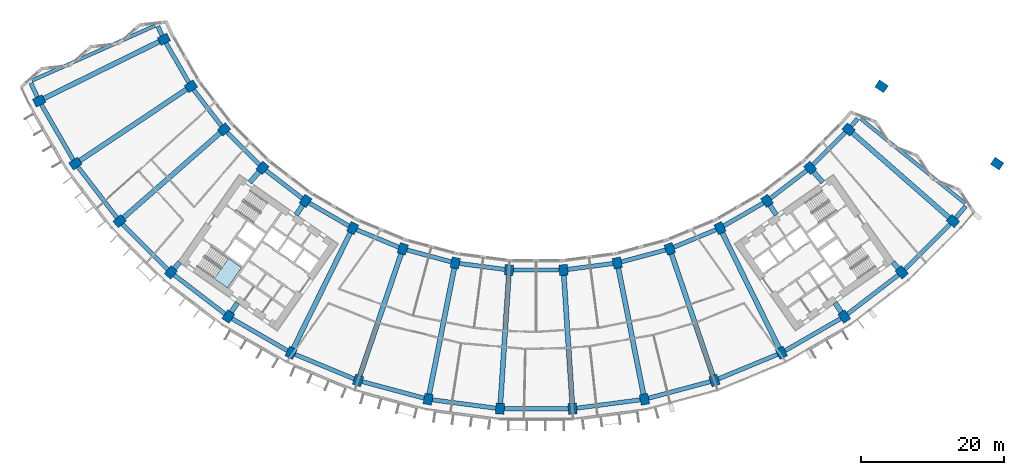
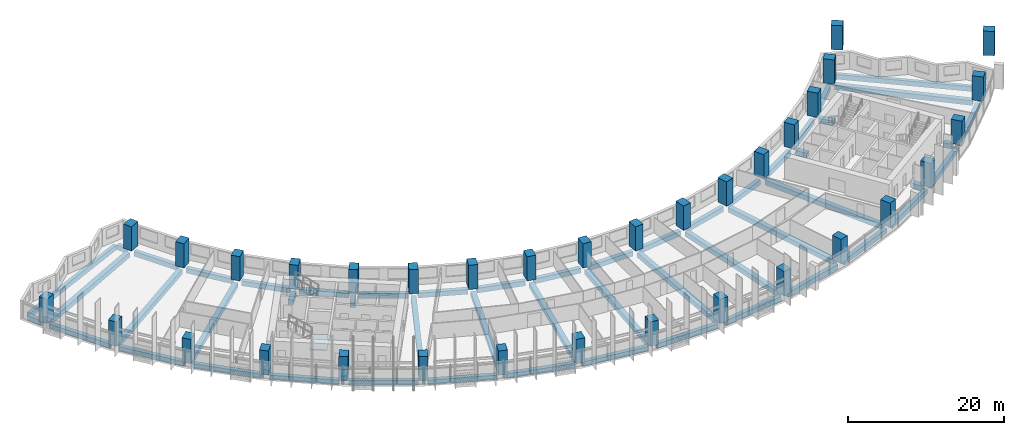
# One storey, part 1 of 30: 56 beams, 34 columns, 1 slab, 1 element without a shape of its own.
"""IFC4 building model written with IfcOpenShell, lengths in metres."""

from ifc_helpers import new_model, si_unit, direction, frame, origin, origin_2d, place, context, subcontext, project, spatial, polyline, rectangle, outline, extrude, material, layer, layer_set, material_profile, profile_set, type_object, element, aggregate, save


model = new_model("IFC4")

# Units and contexts
model_context = context("Model", 3, precision=1e-05, world=origin(), true_north=direction((0.0, 1.0)))
body_context = subcontext(model_context, "Body", "Model", "MODEL_VIEW")
ifc_project = project(units=[si_unit("LENGTHUNIT", "METRE"), si_unit("AREAUNIT", "SQUARE_METRE"), si_unit("VOLUMEUNIT", "CUBIC_METRE"), si_unit("PLANEANGLEUNIT", "RADIAN"), si_unit("MASSUNIT", "GRAM", prefix="KILO")], contexts=[model_context])

# Site, building, storey
site_placement = place(None, origin())
site = spatial("IfcSite", under=ifc_project, at=site_placement, CompositionType="ELEMENT")
building_placement = place(site_placement, origin())
building = spatial("IfcBuilding", under=site, at=building_placement, Name="Qamariyya Broadcast Tower", CompositionType="ELEMENT")
storey_placement = place(building_placement, frame((0.0, 0.0, 125.300048828125)))
storey = spatial("IfcBuildingStorey", under=building, at=storey_placement, Name="L28", CompositionType="ELEMENT", Elevation=125.300048828125)

# Columns
ifc_material_1 = material(Name="Concrete C70/85", Category="concrete")
ifc_material_profile_1 = material_profile(ifc_material_1, rectangle(XDim=1.199951171875, YDim=1.5, at=origin_2d()))
ifc_profile_set_1 = profile_set([ifc_material_profile_1], Name="Concrete C70/85")
column_type = type_object("IfcColumnType", Name="RC column 1200 x 1500 C70/85", PredefinedType="COLUMN", material=ifc_profile_set_1)
for number, where, z_axis, x_axis, name in (
    (1, (-52.242919921875, -25.763427734375, 0.0), (0.0, 0.0, 1.0), (0.442288690219, -0.896872741533, 0.0), "Column C7 L28 B-R02"),
    (2, (-69.73193359375, -34.387939453125, 0.0), (0.0, 0.0, 1.0), (0.442288690219, -0.896872741533, 0.0), "Column C7 L28 C-R02"),
    (3, (-48.43310546875, -32.362060546875, 0.0), (0.0, 0.0, 1.0), (0.55557023302, -0.831469612303, 0.0), "Column C7 L28 B-R03"),
    (4, (-64.646728515625, -43.195556640625, 0.0), (0.0, 0.0, 1.0), (0.55557023302, -0.831469612303, 0.0), "Column C7 L28 C-R03"),
    (5, (-43.794677734375, -38.406982421875, 0.0), (0.0, 0.0, 1.0), (0.6593458151, -0.751839807479, 0.0), "Column C7 L28 B-R04"),
    (6, (-58.45556640625, -51.26416015625, 0.0), (0.0, 0.0, 1.0), (0.6593458151, -0.751839807479, 0.0), "Column C7 L28 C-R04"),
    (7, (-38.406982421875, -43.794677734375, 0.0), (0.0, 0.0, 1.0), (0.751839807479, -0.6593458151, 0.0), "Column C7 L28 B-R05"),
    (8, (-51.26416015625, -58.45556640625, 0.0), (0.0, 0.0, 1.0), (0.751839807479, -0.6593458151, 0.0), "Column C7 L28 C-R05"),
    (9, (-32.362060546875, -48.43310546875, 0.0), (0.0, 0.0, 1.0), (0.831469612303, -0.55557023302, 0.0), "Column C7 L28 B-R06"),
    (10, (-43.195556640625, -64.646728515625, 0.0), (0.0, 0.0, 1.0), (0.831469612303, -0.55557023302, 0.0), "Column C7 L28 C-R06"),
    (11, (-25.763427734375, -52.242919921875, 0.0), (0.0, 0.0, 1.0), (0.896872741533, -0.442288690219, 0.0), "Column C7 L28 B-R07"),
    (12, (-34.387939453125, -69.73193359375, 0.0), (0.0, 0.0, 1.0), (0.896872741533, -0.442288690219, 0.0), "Column C7 L28 C-R07"),
    (13, (-18.723876953125, -55.15869140625, 0.0), (0.0, 0.0, 1.0), (0.946930129495, -0.321439465303, 0.0), "Column C7 L28 B-R08"),
    (14, (-24.991943359375, -73.623779296875, 0.0), (0.0, 0.0, 1.0), (0.946930129495, -0.321439465303, 0.0), "Column C7 L28 C-R08"),
    (15, (-11.364013671875, -57.130859375, 0.0), (0.0, 0.0, 1.0), (0.980785280403, -0.195090322016, 0.0), "Column C7 L28 B-R09"),
    (16, (-15.168212890625, -76.256103515625, 0.0), (0.0, 0.0, 1.0), (0.980785280403, -0.195090322016, 0.0), "Column C7 L28 C-R09"),
    (17, (-3.809814453125, -58.125244140625, 0.0), (0.0, 0.0, 1.0), (0.997858923239, -0.06540312923, 0.0), "Column C7 L28 B-R10"),
    (18, (-5.085205078125, -77.58349609375, 0.0), (0.0, 0.0, 1.0), (0.997858923239, -0.06540312923, 0.0), "Column C7 L28 C-R10"),
    (19, (3.809814453125, -58.125244140625, 0.0), (0.0, 0.0, 1.0), (0.997858923239, 0.06540312923, 0.0), "Column C7 L28 B-R11"),
    (20, (5.085205078125, -77.58349609375, 0.0), (0.0, 0.0, 1.0), (0.997858923239, 0.06540312923, 0.0), "Column C7 L28 C-R11"),
    (21, (11.364013671875, -57.130859375, 0.0), (0.0, 0.0, 1.0), (0.980785280403, 0.195090322016, 0.0), "Column C7 L28 B-R12"),
    (22, (15.168212890625, -76.256103515625, 0.0), (0.0, 0.0, 1.0), (0.980785280403, 0.195090322016, 0.0), "Column C7 L28 C-R12"),
    (23, (18.723876953125, -55.15869140625, 0.0), (0.0, 0.0, 1.0), (0.946930129495, 0.321439465303, 0.0), "Column C7 L28 B-R13"),
    (24, (24.991943359375, -73.623779296875, 0.0), (0.0, 0.0, 1.0), (0.946930129495, 0.321439465303, 0.0), "Column C7 L28 C-R13"),
    (25, (25.763427734375, -52.242919921875, 0.0), (0.0, 0.0, 1.0), (0.896872741533, 0.442288690219, 0.0), "Column C7 L28 B-R14"),
    (26, (34.387939453125, -69.73193359375, 0.0), (0.0, 0.0, 1.0), (0.896872741533, 0.442288690219, 0.0), "Column C7 L28 C-R14"),
    (27, (32.362060546875, -48.43310546875, 0.0), (0.0, 0.0, 1.0), (0.831469612303, 0.55557023302, 0.0), "Column C7 L28 B-R15"),
    (28, (43.195556640625, -64.646728515625, 0.0), (0.0, 0.0, 1.0), (0.831469612303, 0.55557023302, 0.0), "Column C7 L28 C-R15"),
    (29, (38.406982421875, -43.794677734375, 0.0), (0.0, 0.0, 1.0), (0.751839807479, 0.6593458151, 0.0), "Column C7 L28 B-R16"),
    (30, (51.26416015625, -58.45556640625, 0.0), (0.0, 0.0, 1.0), (0.751839807479, 0.6593458151, 0.0), "Column C7 L28 C-R16"),
    (31, (43.794677734375, -38.406982421875, 0.0), (0.0, 0.0, 1.0), (0.6593458151, 0.751839807479, 0.0), "Column C7 L28 B-R17"),
    (32, (58.45556640625, -51.26416015625, 0.0), (0.0, 0.0, 1.0), (0.6593458151, 0.751839807479, 0.0), "Column C7 L28 C-R17"),
    (33, (48.43310546875, -32.362060546875, 0.0), (0.0, 0.0, 1.0), (0.55557023302, 0.831469612303, 0.0), "Column C7 L28 B-R18"),
    (34, (64.646728515625, -43.195556640625, 0.0), (0.0, 0.0, 1.0), (0.55557023302, 0.831469612303, 0.0), "Column C7 L28 C-R18"),
):
    element("IfcColumn", number, at=place(storey_placement, frame(where, z_axis=z_axis, x_axis=x_axis)), inside=storey, type_object=column_type, Name=name, PredefinedType="COLUMN", context=body_context, shape_type="SweptSolid", body=[
        extrude(rectangle(XDim=1.199951171875, YDim=1.5, at=origin_2d()), origin(), (0.0, 0.0, 1.0), 3.800048828125),
    ])

# Beams
ifc_material_2 = material(Name="Concrete C50/60", Category="concrete")
ifc_material_profile_2 = material_profile(ifc_material_2, rectangle(XDim=0.60009765625, YDim=0.75, at=origin_2d()))
ifc_profile_set_2 = profile_set([ifc_material_profile_2], Name="Concrete C50/60")
beam_type_1 = type_object("IfcBeamType", Name="RC edge beam 600 x 750 C50/60", PredefinedType="SPANDREL", material=ifc_profile_set_2)
for number, where, z_axis, x_axis, name in (
    (35, (-51.942138671875, -26.283935546875, -0.675048828125), (0.49999360328, -0.866029096901, 0.0), (0.866029096901, 0.49999360328, 0.0), "Edge beam B15 L28 B R02-R03"),
    (36, (-48.067138671875, -32.839111328125, -0.675048828125), (0.608778135192, -0.793340520906, 0.0), (0.793340520906, 0.608778135192, 0.0), "Edge beam B15 L28 B R03-R04"),
):
    element("IfcBeam", number, at=place(storey_placement, frame(where, z_axis=z_axis, x_axis=x_axis)), inside=storey, type_object=beam_type_1, Name=name, PredefinedType="SPANDREL", context=body_context, shape_type="SweptSolid", body=[
        extrude(rectangle(XDim=0.60009765625, YDim=0.75, at=origin_2d()), origin(), (0.0, 0.0, 1.0), 6.4169921875),
    ])
beam_1_placement = place(storey_placement, frame((-43.369384765625, -38.83203125, -0.675048828125), z_axis=(0.707106781187, -0.707106781187, 0.0), x_axis=(0.707106781187, 0.707106781187, 0.0)))
element("IfcBeam", 37, at=beam_1_placement, inside=storey, type_object=beam_type_1, Name="Edge beam B15 L28 B R04-R05", PredefinedType="SPANDREL", context=body_context, shape_type="SweptSolid", body=[
    extrude(rectangle(XDim=0.60009765625, YDim=0.75, at=origin_2d()), origin(), (0.0, 0.0, 1.0), 6.416748046875),
])
for number, where, z_axis, x_axis, name in (
    (38, (-37.929931640625, -44.16064453125, -0.675048828125), (0.793340520906, -0.608778135192, 0.0), (0.608778135192, 0.793340520906, 0.0), "Edge beam B15 L28 B R05-R06"),
    (39, (-31.84130859375, -48.733642578125, -0.675048828125), (0.866029096901, -0.49999360328, 0.0), (0.49999360328, 0.866029096901, 0.0), "Edge beam B15 L28 B R06-R07"),
    (40, (-25.207763671875, -52.472900390625, -0.675048828125), (0.923884212686, -0.382672133229, 0.0), (0.382672133229, 0.923884212686, 0.0), "Edge beam B15 L28 B R07-R08"),
    (41, (-18.14306640625, -55.314208984375, -0.675048828125), (0.965922916603, -0.258829903956, 0.0), (0.258829903956, 0.965922916603, 0.0), "Edge beam B15 L28 B R08-R09"),
    (42, (-10.767822265625, -57.209228515625, -0.675048828125), (0.991443543958, -0.1305361986, 0.0), (0.1305361986, 0.991443543958, 0.0), "Edge beam B15 L28 B R09-R10"),
    (43, (-3.20849609375, -58.125244140625, -0.675048828125), (1.0, 0.0, 0.0), (0.0, 1.0, 0.0), "Edge beam B15 L28 B R10-R11"),
    (44, (4.40576171875, -58.046875, -0.675048828125), (0.991443543958, 0.1305361986, 0.0), (-0.1305361986, 0.991443543958, 0.0), "Edge beam B15 L28 B R11-R12"),
    (45, (11.94482421875, -56.97509765625, -0.675048828125), (0.965922916603, 0.258829903956, 0.0), (-0.258829903956, 0.965922916603, 0.0), "Edge beam B15 L28 B R12-R13"),
    (46, (19.279296875, -54.928466796875, -0.675048828125), (0.923884212686, 0.382672133229, 0.0), (-0.382672133229, 0.923884212686, 0.0), "Edge beam B15 L28 B R13-R14"),
    (47, (26.283935546875, -51.942138671875, -0.675048828125), (0.866029096901, 0.49999360328, 0.0), (-0.49999360328, 0.866029096901, 0.0), "Edge beam B15 L28 B R14-R15"),
    (48, (32.839111328125, -48.067138671875, -0.675048828125), (0.793340520906, 0.608778135192, 0.0), (-0.608778135192, 0.793340520906, 0.0), "Edge beam B15 L28 B R15-R16"),
):
    element("IfcBeam", number, at=place(storey_placement, frame(where, z_axis=z_axis, x_axis=x_axis)), inside=storey, type_object=beam_type_1, Name=name, PredefinedType="SPANDREL", context=body_context, shape_type="SweptSolid", body=[
        extrude(rectangle(XDim=0.60009765625, YDim=0.75, at=origin_2d()), origin(), (0.0, 0.0, 1.0), 6.4169921875),
    ])
beam_2_placement = place(storey_placement, frame((38.83203125, -43.369384765625, -0.675048828125), z_axis=(0.707106781187, 0.707106781187, 0.0), x_axis=(-0.707106781187, 0.707106781187, 0.0)))
element("IfcBeam", 49, at=beam_2_placement, inside=storey, type_object=beam_type_1, Name="Edge beam B15 L28 B R16-R17", PredefinedType="SPANDREL", context=body_context, shape_type="SweptSolid", body=[
    extrude(rectangle(XDim=0.60009765625, YDim=0.75, at=origin_2d()), origin(), (0.0, 0.0, 1.0), 6.416748046875),
])
beam_3_placement = place(storey_placement, frame((-69.43115234375, -34.90869140625, -0.675048828125), z_axis=(0.499989544228, -0.866031440343, 0.0), x_axis=(0.866031440343, 0.499989544228, 0.0)))
element("IfcBeam", 50, at=beam_3_placement, inside=storey, type_object=beam_type_1, Name="Edge beam B15 L28 C R02-R03", PredefinedType="SPANDREL", context=body_context, shape_type="SweptSolid", body=[
    extrude(rectangle(XDim=0.60009765625, YDim=0.75, at=origin_2d()), origin(), (0.0, 0.0, 1.0), 8.967529296875),
])
beam_4_placement = place(storey_placement, frame((-64.28076171875, -43.672607421875, -0.675048828125), z_axis=(0.608766985019, -0.793349076984, 0.0), x_axis=(0.793349076984, 0.608766985019, 0.0)))
element("IfcBeam", 51, at=beam_4_placement, inside=storey, type_object=beam_type_1, Name="Edge beam B15 L28 C R03-R04", PredefinedType="SPANDREL", context=body_context, shape_type="SweptSolid", body=[
    extrude(rectangle(XDim=0.60009765625, YDim=0.75, at=origin_2d()), origin(), (0.0, 0.0, 1.0), 8.9677734375),
])
beam_5_placement = place(storey_placement, frame((-58.0302734375, -51.689208984375, -0.675048828125), z_axis=(0.707106781187, -0.707106781187, 0.0), x_axis=(0.707106781187, 0.707106781187, 0.0)))
element("IfcBeam", 52, at=beam_5_placement, inside=storey, type_object=beam_type_1, Name="Edge beam B15 L28 C R04-R05", PredefinedType="SPANDREL", context=body_context, shape_type="SweptSolid", body=[
    extrude(rectangle(XDim=0.60009765625, YDim=0.75, at=origin_2d()), origin(), (0.0, 0.0, 1.0), 8.967529296875),
])
beam_6_placement = place(storey_placement, frame((-50.787109375, -58.821533203125, -0.675048828125), z_axis=(0.793349076984, -0.608766985019, 0.0), x_axis=(0.608766985019, 0.793349076984, 0.0)))
element("IfcBeam", 53, at=beam_6_placement, inside=storey, type_object=beam_type_1, Name="Edge beam B15 L28 C R05-R06", PredefinedType="SPANDREL", context=body_context, shape_type="SweptSolid", body=[
    extrude(rectangle(XDim=0.60009765625, YDim=0.75, at=origin_2d()), origin(), (0.0, 0.0, 1.0), 8.9677734375),
])
beam_7_placement = place(storey_placement, frame((-42.6748046875, -64.947509765625, -0.675048828125), z_axis=(0.866031440343, -0.499989544228, 0.0), x_axis=(0.499989544228, 0.866031440343, 0.0)))
element("IfcBeam", 54, at=beam_7_placement, inside=storey, type_object=beam_type_1, Name="Edge beam B15 L28 C R06-R07", PredefinedType="SPANDREL", context=body_context, shape_type="SweptSolid", body=[
    extrude(rectangle(XDim=0.60009765625, YDim=0.75, at=origin_2d()), origin(), (0.0, 0.0, 1.0), 8.967529296875),
])
beam_8_placement = place(storey_placement, frame((-33.83251953125, -69.9619140625, -0.675048828125), z_axis=(0.923877140182, -0.382689207907, 0.0), x_axis=(0.382689207907, 0.923877140182, 0.0)))
element("IfcBeam", 55, at=beam_8_placement, inside=storey, type_object=beam_type_1, Name="Edge beam B15 L28 C R07-R08", PredefinedType="SPANDREL", context=body_context, shape_type="SweptSolid", body=[
    extrude(rectangle(XDim=0.60009765625, YDim=0.75, at=origin_2d()), origin(), (0.0, 0.0, 1.0), 8.9677734375),
])
for number, where, z_axis, x_axis, name in (
    (56, (-24.4111328125, -73.779541015625, -0.675048828125), (0.965931525183, -0.258797775603, 0.0), (0.258797775603, 0.965931525183, 0.0), "Edge beam B15 L28 C R08-R09"),
    (57, (-14.572021484375, -76.33447265625, -0.675048828125), (0.991442708618, -0.130542542983, 0.0), (0.130542542983, 0.991442708618, 0.0), "Edge beam B15 L28 C R09-R10"),
):
    element("IfcBeam", number, at=place(storey_placement, frame(where, z_axis=z_axis, x_axis=x_axis)), inside=storey, type_object=beam_type_1, Name=name, PredefinedType="SPANDREL", context=body_context, shape_type="SweptSolid", body=[
        extrude(rectangle(XDim=0.60009765625, YDim=0.75, at=origin_2d()), origin(), (0.0, 0.0, 1.0), 8.967529296875),
    ])
beam_9_placement = place(storey_placement, frame((-4.48388671875, -77.58349609375, -0.675048828125), z_axis=(1.0, 0.0, 0.0), x_axis=(0.0, 1.0, 0.0)))
element("IfcBeam", 58, at=beam_9_placement, inside=storey, type_object=beam_type_1, Name="Edge beam B15 L28 C R10-R11", PredefinedType="SPANDREL", context=body_context, shape_type="SweptSolid", body=[
    extrude(rectangle(XDim=0.60009765625, YDim=0.75, at=origin_2d()), origin(), (0.0, 0.0, 1.0), 8.9677734375),
])
for number, where, z_axis, x_axis, name in (
    (59, (5.68115234375, -77.505126953125, -0.675048828125), (0.991442708618, 0.130542542983, 0.0), (-0.130542542983, 0.991442708618, 0.0), "Edge beam B15 L28 C R11-R12"),
    (60, (15.7490234375, -76.100341796875, -0.675048828125), (0.965931525183, 0.258797775603, 0.0), (-0.258797775603, 0.965931525183, 0.0), "Edge beam B15 L28 C R12-R13"),
):
    element("IfcBeam", number, at=place(storey_placement, frame(where, z_axis=z_axis, x_axis=x_axis)), inside=storey, type_object=beam_type_1, Name=name, PredefinedType="SPANDREL", context=body_context, shape_type="SweptSolid", body=[
        extrude(rectangle(XDim=0.60009765625, YDim=0.75, at=origin_2d()), origin(), (0.0, 0.0, 1.0), 8.967529296875),
    ])
beam_10_placement = place(storey_placement, frame((25.54736328125, -73.393798828125, -0.675048828125), z_axis=(0.923877140182, 0.382689207907, 0.0), x_axis=(-0.382689207907, 0.923877140182, 0.0)))
element("IfcBeam", 61, at=beam_10_placement, inside=storey, type_object=beam_type_1, Name="Edge beam B15 L28 C R13-R14", PredefinedType="SPANDREL", context=body_context, shape_type="SweptSolid", body=[
    extrude(rectangle(XDim=0.60009765625, YDim=0.75, at=origin_2d()), origin(), (0.0, 0.0, 1.0), 8.9677734375),
])
beam_11_placement = place(storey_placement, frame((34.90869140625, -69.43115234375, -0.675048828125), z_axis=(0.866031440343, 0.499989544228, 0.0), x_axis=(-0.499989544228, 0.866031440343, 0.0)))
element("IfcBeam", 62, at=beam_11_placement, inside=storey, type_object=beam_type_1, Name="Edge beam B15 L28 C R14-R15", PredefinedType="SPANDREL", context=body_context, shape_type="SweptSolid", body=[
    extrude(rectangle(XDim=0.60009765625, YDim=0.75, at=origin_2d()), origin(), (0.0, 0.0, 1.0), 8.967529296875),
])
beam_12_placement = place(storey_placement, frame((43.672607421875, -64.28076171875, -0.675048828125), z_axis=(0.793349076984, 0.608766985019, 0.0), x_axis=(-0.608766985019, 0.793349076984, 0.0)))
element("IfcBeam", 63, at=beam_12_placement, inside=storey, type_object=beam_type_1, Name="Edge beam B15 L28 C R15-R16", PredefinedType="SPANDREL", context=body_context, shape_type="SweptSolid", body=[
    extrude(rectangle(XDim=0.60009765625, YDim=0.75, at=origin_2d()), origin(), (0.0, 0.0, 1.0), 8.9677734375),
])
beam_13_placement = place(storey_placement, frame((51.689208984375, -58.0302734375, -0.675048828125), z_axis=(0.707106781187, 0.707106781187, 0.0), x_axis=(-0.707106781187, 0.707106781187, 0.0)))
element("IfcBeam", 64, at=beam_13_placement, inside=storey, type_object=beam_type_1, Name="Edge beam B15 L28 C R16-R17", PredefinedType="SPANDREL", context=body_context, shape_type="SweptSolid", body=[
    extrude(rectangle(XDim=0.60009765625, YDim=0.75, at=origin_2d()), origin(), (0.0, 0.0, 1.0), 8.967529296875),
])
ifc_material_profile_3 = material_profile(ifc_material_2, rectangle(XDim=0.60009765625, YDim=0.75, at=origin_2d()))
ifc_profile_set_3 = profile_set([ifc_material_profile_3], Name="Concrete C50/60")
beam_type_2 = type_object("IfcBeamType", Name="RC horn beam 600 x 750 C50/60", PredefinedType="BEAM", material=ifc_profile_set_3)
beam_14_placement = place(storey_placement, frame((-52.497802734375, -25.219970703125, -0.675048828125), z_axis=(-0.424997694513, 0.905194431964, 0.0), x_axis=(-0.905194431964, -0.424997694513, 0.0)))
element("IfcBeam", 65, at=beam_14_placement, inside=storey, type_object=beam_type_2, Name="Horn beam B14 L28 W B-R02", PredefinedType="BEAM", context=body_context, shape_type="SweptSolid", body=[
    extrude(rectangle(XDim=0.60009765625, YDim=0.75, at=origin_2d()), origin(), (0.0, 0.0, 1.0), 1.397705078125),
])
beam_15_placement = place(storey_placement, frame((-69.98681640625, -33.8447265625, -0.675048828125), z_axis=(-0.424867261919, 0.905255659883, 0.0), x_axis=(-0.905255659883, -0.424867261919, 0.0)))
element("IfcBeam", 66, at=beam_15_placement, inside=storey, type_object=beam_type_2, Name="Horn beam B14 L28 W C-R02", PredefinedType="BEAM", context=body_context, shape_type="SweptSolid", body=[
    extrude(rectangle(XDim=0.60009765625, YDim=0.75, at=origin_2d()), origin(), (0.0, 0.0, 1.0), 2.150146484375),
])
beam_16_placement = place(storey_placement, frame((44.181640625, -37.9482421875, -0.675048828125), z_axis=(0.644657301, 0.764471689644, 0.0), x_axis=(-0.764471689644, 0.644657301, 0.0)))
element("IfcBeam", 67, at=beam_16_placement, inside=storey, type_object=beam_type_2, Name="Horn beam B14 L28 E B-R17", PredefinedType="BEAM", context=body_context, shape_type="SweptSolid", body=[
    extrude(rectangle(XDim=0.60009765625, YDim=0.75, at=origin_2d()), origin(), (0.0, 0.0, 1.0), 1.39794921875),
])
beam_17_placement = place(storey_placement, frame((58.842529296875, -50.805419921875, -0.675048828125), z_axis=(0.64472998007, 0.764410395533, 0.0), x_axis=(-0.764410395533, 0.64472998007, 0.0)))
element("IfcBeam", 68, at=beam_17_placement, inside=storey, type_object=beam_type_2, Name="Horn beam B14 L28 E C-R17", PredefinedType="BEAM", context=body_context, shape_type="SweptSolid", body=[
    extrude(rectangle(XDim=0.60009765625, YDim=0.75, at=origin_2d()), origin(), (0.0, 0.0, 1.0), 2.150146484375),
])
ifc_material_profile_4 = material_profile(ifc_material_2, rectangle(XDim=0.5, YDim=0.75, at=origin_2d()))
ifc_profile_set_4 = profile_set([ifc_material_profile_4], Name="Concrete C50/60")
beam_type_3 = type_object("IfcBeamType", Name="RC horn cap beam 500 x 750 C50/60", PredefinedType="BEAM", material=ifc_profile_set_4)
for number, where, z_axis, x_axis, name in (
    (69, (-53.471923828125, -23.850830078125, -0.675048828125), (-0.913270066592, -0.407354618812, 0.0), (0.407354618812, -0.913270066592, 0.0), "Horn cap beam B17 L28 W B-C"),
    (70, (45.476806640625, -36.877685546875, -0.675048828125), (0.776719368779, -0.629846824366, 0.0), (0.629846824366, 0.776719368779, 0.0), "Horn cap beam B17 L28 E B-C"),
):
    element("IfcBeam", number, at=place(storey_placement, frame(where, z_axis=z_axis, x_axis=x_axis)), inside=storey, type_object=beam_type_3, Name=name, PredefinedType="BEAM", context=body_context, shape_type="SweptSolid", body=[
        extrude(rectangle(XDim=0.5, YDim=0.75, at=origin_2d()), origin(), (0.0, 0.0, 1.0), 18.89990234375),
    ])
ifc_material_profile_5 = material_profile(ifc_material_2, rectangle(XDim=0.699951171875, YDim=0.75, at=origin_2d()))
ifc_profile_set_5 = profile_set([ifc_material_profile_5], Name="Concrete C50/60")
beam_type_4 = type_object("IfcBeamType", Name="RC radial beam 700 x 750 C50/60", PredefinedType="BEAM", material=ifc_profile_set_5)
beam_18_placement = place(storey_placement, frame((-52.91552734375, -26.094970703125, -0.675048828125), z_axis=(-0.896871386501, -0.442291437941, 0.0), x_axis=(0.442291437941, -0.896871386501, 0.0)))
element("IfcBeam", 71, at=beam_18_placement, inside=storey, type_object=beam_type_4, Name="Radial beam B13 L28 R02 B-C", PredefinedType="BEAM", context=body_context, shape_type="SweptSolid", body=[
    extrude(rectangle(XDim=0.699951171875, YDim=0.75, at=origin_2d()), origin(), (0.0, 0.0, 1.0), 17.999755859375),
])
beam_19_placement = place(storey_placement, frame((-49.056640625, -32.778564453125, -0.675048828125), z_axis=(-0.831471836778, -0.555566903843, 0.0), x_axis=(0.555566903843, -0.831471836778, 0.0)))
element("IfcBeam", 72, at=beam_19_placement, inside=storey, type_object=beam_type_4, Name="Radial beam B13 L28 R03 B-C", PredefinedType="BEAM", context=body_context, shape_type="SweptSolid", body=[
    extrude(rectangle(XDim=0.699951171875, YDim=0.75, at=origin_2d()), origin(), (0.0, 0.0, 1.0), 18.0),
])
beam_20_placement = place(storey_placement, frame((-44.358642578125, -38.9013671875, -0.675048828125), z_axis=(-0.751837671483, -0.659348250729, 0.0), x_axis=(0.659348250729, -0.751837671483, 0.0)))
element("IfcBeam", 73, at=beam_20_placement, inside=storey, type_object=beam_type_4, Name="Radial beam B13 L28 R04 B-C", PredefinedType="BEAM", context=body_context, shape_type="SweptSolid", body=[
    extrude(rectangle(XDim=0.699951171875, YDim=0.75, at=origin_2d()), origin(), (0.0, 0.0, 1.0), 17.999755859375),
])
beam_21_placement = place(storey_placement, frame((-38.9013671875, -44.358642578125, -0.675048828125), z_axis=(-0.659376140982, -0.751813211312, 0.0), x_axis=(0.751813211312, -0.659376140982, 0.0)))
element("IfcBeam", 74, at=beam_21_placement, inside=storey, type_object=beam_type_4, Name="Radial beam B13 L28 R05 B-C", PredefinedType="BEAM", context=body_context, shape_type="SweptSolid", body=[
    extrude(rectangle(XDim=0.699951171875, YDim=0.75, at=origin_2d()), origin(), (0.0, 0.0, 1.0), 1.96240234375),
])
beam_22_placement = place(storey_placement, frame((-50.011962890625, -57.027587890625, -0.675048828125), z_axis=(-0.659271387296, -0.751905072395, 0.0), x_axis=(0.751905072395, -0.659271387296, 0.0)))
element("IfcBeam", 75, at=beam_22_placement, inside=storey, type_object=beam_type_4, Name="Radial beam B13 L28 R05 B-C", PredefinedType="BEAM", context=body_context, shape_type="SweptSolid", body=[
    extrude(rectangle(XDim=0.699951171875, YDim=0.75, at=origin_2d()), origin(), (0.0, 0.0, 1.0), 1.149169921875),
])
beam_23_placement = place(storey_placement, frame((-32.778564453125, -49.056640625, -0.675048828125), z_axis=(-0.555537373717, -0.831491567248, 0.0), x_axis=(0.831491567248, -0.555537373717, 0.0)))
element("IfcBeam", 76, at=beam_23_placement, inside=storey, type_object=beam_type_4, Name="Radial beam B13 L28 R06 B-C", PredefinedType="BEAM", context=body_context, shape_type="SweptSolid", body=[
    extrude(rectangle(XDim=0.699951171875, YDim=0.75, at=origin_2d()), origin(), (0.0, 0.0, 1.0), 1.614501953125),
])
beam_24_placement = place(storey_placement, frame((-41.89990234375, -62.707763671875, -0.675048828125), z_axis=(-0.555554602959, -0.831480055762, 0.0), x_axis=(0.831480055762, -0.555554602959, 0.0)))
element("IfcBeam", 77, at=beam_24_placement, inside=storey, type_object=beam_type_4, Name="Radial beam B13 L28 R06 B-C", PredefinedType="BEAM", context=body_context, shape_type="SweptSolid", body=[
    extrude(rectangle(XDim=0.699951171875, YDim=0.75, at=origin_2d()), origin(), (0.0, 0.0, 1.0), 1.58203125),
])
beam_25_placement = place(storey_placement, frame((-26.094970703125, -52.91552734375, -0.675048828125), z_axis=(-0.442291437941, -0.896871386501, 0.0), x_axis=(0.896871386501, -0.442291437941, 0.0)))
element("IfcBeam", 78, at=beam_25_placement, inside=storey, type_object=beam_type_4, Name="Radial beam B13 L28 R07 B-C", PredefinedType="BEAM", context=body_context, shape_type="SweptSolid", body=[
    extrude(rectangle(XDim=0.699951171875, YDim=0.75, at=origin_2d()), origin(), (0.0, 0.0, 1.0), 17.999755859375),
])
beam_26_placement = place(storey_placement, frame((-18.96484375, -55.868896484375, -0.675048828125), z_axis=(-0.321439476461, -0.946930125707, 0.0), x_axis=(0.946930125707, -0.321439476461, 0.0)))
element("IfcBeam", 79, at=beam_26_placement, inside=storey, type_object=beam_type_4, Name="Radial beam B13 L28 R08 B-C", PredefinedType="BEAM", context=body_context, shape_type="SweptSolid", body=[
    extrude(rectangle(XDim=0.699951171875, YDim=0.75, at=origin_2d()), origin(), (0.0, 0.0, 1.0), 18.0),
])
beam_27_placement = place(storey_placement, frame((-11.51025390625, -57.8662109375, -0.675048828125), z_axis=(-0.195093569287, -0.980784634475, 0.0), x_axis=(0.980784634475, -0.195093569287, 0.0)))
element("IfcBeam", 80, at=beam_27_placement, inside=storey, type_object=beam_type_4, Name="Radial beam B13 L28 R09 B-C", PredefinedType="BEAM", context=body_context, shape_type="SweptSolid", body=[
    extrude(rectangle(XDim=0.699951171875, YDim=0.75, at=origin_2d()), origin(), (0.0, 0.0, 1.0), 18.000244140625),
])
for number, where, z_axis, x_axis, name in (
    (81, (-3.85888671875, -58.873779296875, -0.675048828125), (-0.065402689504, -0.99785895206, 0.0), (0.99785895206, -0.065402689504, 0.0), "Radial beam B13 L28 R10 B-C"),
    (82, (3.85888671875, -58.873779296875, -0.675048828125), (0.065402689504, -0.99785895206, 0.0), (0.99785895206, 0.065402689504, 0.0), "Radial beam B13 L28 R11 B-C"),
):
    element("IfcBeam", number, at=place(storey_placement, frame(where, z_axis=z_axis, x_axis=x_axis)), inside=storey, type_object=beam_type_4, Name=name, PredefinedType="BEAM", context=body_context, shape_type="SweptSolid", body=[
        extrude(rectangle(XDim=0.699951171875, YDim=0.75, at=origin_2d()), origin(), (0.0, 0.0, 1.0), 18.0),
    ])
beam_28_placement = place(storey_placement, frame((11.51025390625, -57.8662109375, -0.675048828125), z_axis=(0.195093569287, -0.980784634475, 0.0), x_axis=(0.980784634475, 0.195093569287, 0.0)))
element("IfcBeam", 83, at=beam_28_placement, inside=storey, type_object=beam_type_4, Name="Radial beam B13 L28 R12 B-C", PredefinedType="BEAM", context=body_context, shape_type="SweptSolid", body=[
    extrude(rectangle(XDim=0.699951171875, YDim=0.75, at=origin_2d()), origin(), (0.0, 0.0, 1.0), 18.000244140625),
])
beam_29_placement = place(storey_placement, frame((18.96484375, -55.868896484375, -0.675048828125), z_axis=(0.321439476461, -0.946930125707, 0.0), x_axis=(0.946930125707, 0.321439476461, 0.0)))
element("IfcBeam", 84, at=beam_29_placement, inside=storey, type_object=beam_type_4, Name="Radial beam B13 L28 R13 B-C", PredefinedType="BEAM", context=body_context, shape_type="SweptSolid", body=[
    extrude(rectangle(XDim=0.699951171875, YDim=0.75, at=origin_2d()), origin(), (0.0, 0.0, 1.0), 18.0),
])
beam_30_placement = place(storey_placement, frame((26.094970703125, -52.91552734375, -0.675048828125), z_axis=(0.442291437941, -0.896871386501, 0.0), x_axis=(0.896871386501, 0.442291437941, 0.0)))
element("IfcBeam", 85, at=beam_30_placement, inside=storey, type_object=beam_type_4, Name="Radial beam B13 L28 R14 B-C", PredefinedType="BEAM", context=body_context, shape_type="SweptSolid", body=[
    extrude(rectangle(XDim=0.699951171875, YDim=0.75, at=origin_2d()), origin(), (0.0, 0.0, 1.0), 17.999755859375),
])
beam_31_placement = place(storey_placement, frame((32.778564453125, -49.056640625, -0.675048828125), z_axis=(0.555537373717, -0.831491567248, 0.0), x_axis=(0.831491567248, 0.555537373717, 0.0)))
element("IfcBeam", 86, at=beam_31_placement, inside=storey, type_object=beam_type_4, Name="Radial beam B13 L28 R15 B-C", PredefinedType="BEAM", context=body_context, shape_type="SweptSolid", body=[
    extrude(rectangle(XDim=0.699951171875, YDim=0.75, at=origin_2d()), origin(), (0.0, 0.0, 1.0), 1.614501953125),
])
beam_32_placement = place(storey_placement, frame((41.89990234375, -62.707763671875, -0.675048828125), z_axis=(0.555554602959, -0.831480055762, 0.0), x_axis=(0.831480055762, 0.555554602959, 0.0)))
element("IfcBeam", 87, at=beam_32_placement, inside=storey, type_object=beam_type_4, Name="Radial beam B13 L28 R15 B-C", PredefinedType="BEAM", context=body_context, shape_type="SweptSolid", body=[
    extrude(rectangle(XDim=0.699951171875, YDim=0.75, at=origin_2d()), origin(), (0.0, 0.0, 1.0), 1.58203125),
])
beam_33_placement = place(storey_placement, frame((38.9013671875, -44.358642578125, -0.675048828125), z_axis=(0.659376140982, -0.751813211312, 0.0), x_axis=(0.751813211312, 0.659376140982, 0.0)))
element("IfcBeam", 88, at=beam_33_placement, inside=storey, type_object=beam_type_4, Name="Radial beam B13 L28 R16 B-C", PredefinedType="BEAM", context=body_context, shape_type="SweptSolid", body=[
    extrude(rectangle(XDim=0.699951171875, YDim=0.75, at=origin_2d()), origin(), (0.0, 0.0, 1.0), 1.96240234375),
])
beam_34_placement = place(storey_placement, frame((50.011962890625, -57.027587890625, -0.675048828125), z_axis=(0.659271387296, -0.751905072395, 0.0), x_axis=(0.751905072395, 0.659271387296, 0.0)))
element("IfcBeam", 89, at=beam_34_placement, inside=storey, type_object=beam_type_4, Name="Radial beam B13 L28 R16 B-C", PredefinedType="BEAM", context=body_context, shape_type="SweptSolid", body=[
    extrude(rectangle(XDim=0.699951171875, YDim=0.75, at=origin_2d()), origin(), (0.0, 0.0, 1.0), 1.149169921875),
])
beam_35_placement = place(storey_placement, frame((44.358642578125, -38.9013671875, -0.675048828125), z_axis=(0.751837671483, -0.659348250729, 0.0), x_axis=(0.659348250729, 0.751837671483, 0.0)))
element("IfcBeam", 90, at=beam_35_placement, inside=storey, type_object=beam_type_4, Name="Radial beam B13 L28 R17 B-C", PredefinedType="BEAM", context=body_context, shape_type="SweptSolid", body=[
    extrude(rectangle(XDim=0.699951171875, YDim=0.75, at=origin_2d()), origin(), (0.0, 0.0, 1.0), 17.999755859375),
])

# Stair, slab
stair_type = type_object("IfcStairType", Name="Exit stair 22 risers of 173 mm", PredefinedType="HALF_TURN_STAIR", material=ifc_material_2)
stair_placement = place(storey_placement, origin())
stair = element("IfcStair", 91, at=stair_placement, inside=storey, type_object=stair_type, Name="L28 Stair W1", PredefinedType="HALF_TURN_STAIR")
ifc_layer = layer(ifc_material_2, 0.199951171875)
ifc_layer_set = layer_set([ifc_layer], Name="Stair landing")
slab_type = type_object("IfcSlabType", Name="Stair landing", PredefinedType="LANDING", material=ifc_layer_set)
slab_placement = place(storey_placement, frame((0.0, 0.0, 1.699951171875)))
slab = element("IfcSlab", 92, at=slab_placement, type_object=slab_type, Name="ST-W1 landing 1", PredefinedType="LANDING", context=body_context, shape_type="SweptSolid", body=[
    extrude(outline(polyline([(-45.169677734375, -59.319580078125), (-43.3271484375, -60.609619140625), (-41.348388671875, -57.783447265625), (-43.19091796875, -56.493408203125), (-45.169677734375, -59.319580078125)])), origin(), (0.0, 0.0, 1.0), 0.199951171875),
])
aggregate(stair, [slab])

save(model, "model.ifc")
